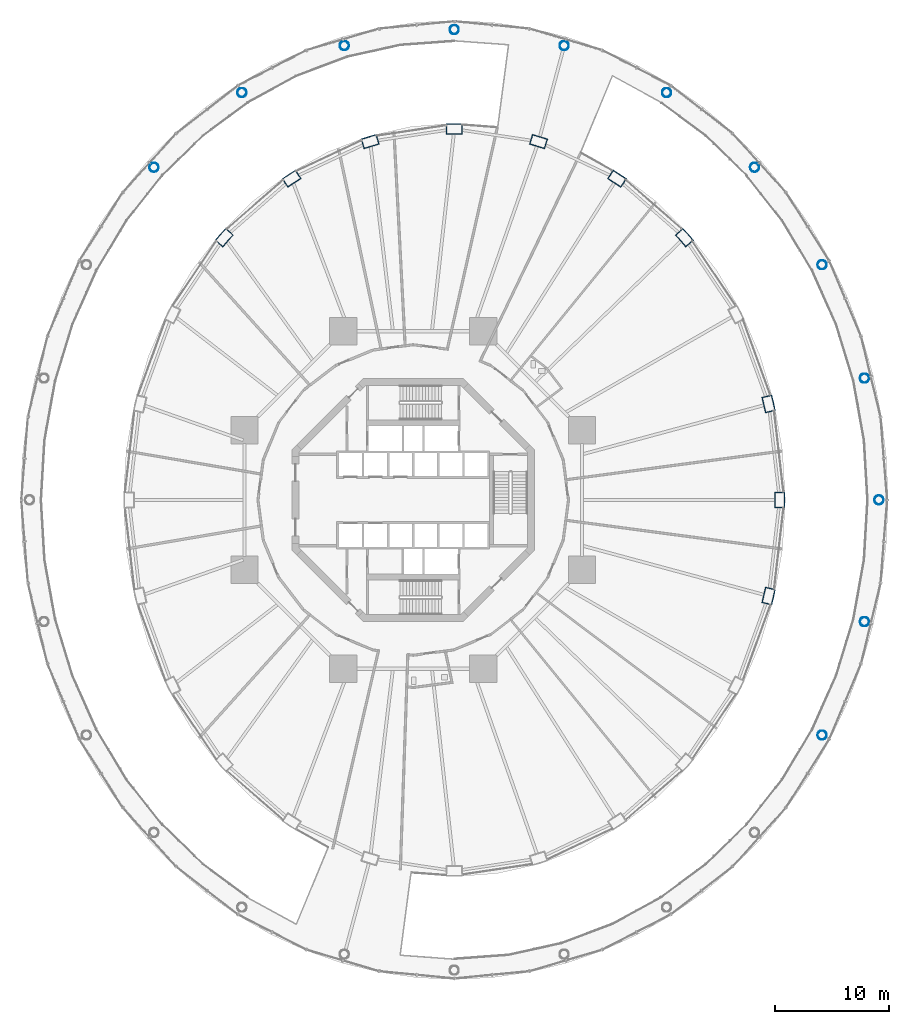
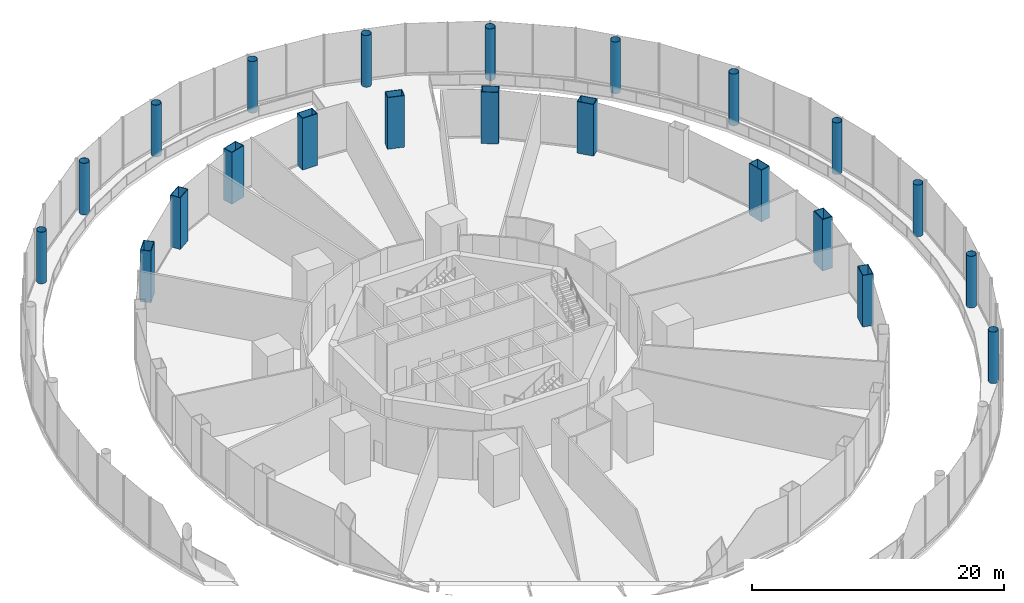
# One storey, part 2 of 48: 22 columns.
"""IFC4 building model written with IfcOpenShell, lengths in metres."""

from ifc_helpers import new_model, si_unit, direction, frame, origin, origin_2d, place, context, subcontext, project, spatial, hollow_rectangle, hollow_circle, extrude, material, material_profile, profile_set, type_object, element, save


model = new_model("IFC4")

# Units and contexts
model_context = context("Model", 3, precision=1e-05, world=origin(), true_north=direction((0.0, 1.0)))
body_context = subcontext(model_context, "Body", "Model", "MODEL_VIEW")
ifc_project = project(units=[si_unit("LENGTHUNIT", "METRE"), si_unit("AREAUNIT", "SQUARE_METRE"), si_unit("VOLUMEUNIT", "CUBIC_METRE"), si_unit("PLANEANGLEUNIT", "RADIAN"), si_unit("MASSUNIT", "GRAM", prefix="KILO")], contexts=[model_context])

# Site, building, storey
site_placement = place(None, origin())
site = spatial("IfcSite", under=ifc_project, at=site_placement, CompositionType="ELEMENT")
building_placement = place(site_placement, origin())
building = spatial("IfcBuilding", under=site, at=building_placement, Name="Nagisa Residences", CompositionType="ELEMENT")
storey_placement = place(building_placement, frame((0.0, 0.0, 12.0)))
storey = spatial("IfcBuildingStorey", under=building, at=storey_placement, Name="L02", CompositionType="ELEMENT", Elevation=12.0)

# Columns
ifc_material_1 = material(Name="Steel ASTM A572 Gr 65", Category="steel")
ifc_material_profile_1 = material_profile(ifc_material_1, hollow_circle(Radius=0.406494140625, WallThickness=0.02490234375, at=origin_2d()), Name="CHS 813x25")
ifc_profile_set_1 = profile_set([ifc_material_profile_1], Name="Steel ASTM A572 Gr 65")
column_type_1 = type_object("IfcColumnType", Name="Atrium column CHS 813x25", PredefinedType="COLUMN", material=ifc_profile_set_1)
for number, where, z_axis, x_axis, name in (
    (1, (40.800048828125, 0.0, 0.0), (0.0, 0.0, 1.0), (1.0, 0.0, 0.0), "col:L02:a00"),
    (2, (39.532470703125, 10.663330078125, 0.0), (0.0, 0.0, 1.0), (1.0, 0.0, 0.0), "col:L02:a01"),
    (3, (35.816162109375, 20.60009765625, 0.0), (0.0, 0.0, 1.0), (1.0, 0.0, 0.0), "col:L02:a02"),
    (4, (29.904296875, 29.1328125, 0.0), (0.0, 0.0, 1.0), (1.0, 0.0, 0.0), "col:L02:a03"),
    (5, (22.199951171875, 35.68017578125, 0.0), (0.0, 0.0, 1.0), (1.0, 0.0, 0.0), "col:L02:a04"),
    (6, (13.22802734375, 39.796142578125, 0.0), (0.0, 0.0, 1.0), (1.0, 0.0, 0.0), "col:L02:a05"),
    (7, (3.60009765625, 41.199951171875, 0.0), (0.0, 0.0, 1.0), (1.0, 0.0, 0.0), "col:L02:a06"),
    (8, (-6.028076171875, 39.796142578125, 0.0), (0.0, 0.0, 1.0), (1.0, 0.0, 0.0), "col:L02:a07"),
    (9, (-15.0, 35.68017578125, 0.0), (0.0, 0.0, 1.0), (1.0, 0.0, 0.0), "col:L02:a08"),
    (10, (-22.704345703125, 29.1328125, 0.0), (0.0, 0.0, 1.0), (1.0, 0.0, 0.0), "col:L02:a09"),
    (11, (35.816162109375, -20.60009765625, 0.0), (0.0, 0.0, 1.0), (1.0, 0.0, 0.0), "col:L02:a22"),
    (12, (39.532470703125, -10.663330078125, 0.0), (0.0, 0.0, 1.0), (1.0, 0.0, 0.0), "col:L02:a23"),
):
    element("IfcColumn", number, at=place(storey_placement, frame(where, z_axis=z_axis, x_axis=x_axis)), inside=storey, type_object=column_type_1, Name=name, PredefinedType="COLUMN", context=body_context, shape_type="SweptSolid", body=[
        extrude(hollow_circle(Radius=0.406494140625, WallThickness=0.02490234375, at=origin_2d()), origin(), (0.0, 0.0, 1.0), 5.0),
    ])
ifc_material_2 = material(Name="Steel ASTM A572 Gr 50", Category="steel")
ifc_material_profile_2 = material_profile(ifc_material_2, hollow_rectangle(XDim=1.39990234375, YDim=0.89990234375, WallThickness=0.050048828125, at=origin_2d()), Name="BX 1400x900x50")
ifc_profile_set_2 = profile_set([ifc_material_profile_2], Name="Steel ASTM A572 Gr 50")
column_type_2 = type_object("IfcColumnType", Name="Perimeter column BX 1400x900x50", PredefinedType="COLUMN", material=ifc_profile_set_2)
for number, where, z_axis, x_axis, name in (
    (13, (32.10009765625, 0.0, 0.0), (0.0, 0.0, 1.0), (0.0, 1.0, 0.0), "col:L02:p00"),
    (14, (31.12890625, 8.41162109375, 0.0), (0.0, 0.0, 1.0), (-0.229202013103, 0.973378876486, 0.0), "col:L02:p01"),
    (15, (23.75244140625, 22.98095703125, 0.0), (0.0, 0.0, 1.0), (-0.660114607735, 0.751164898445, 0.0), "col:L02:p03"),
    (16, (17.85009765625, 28.145751953125, 0.0), (0.0, 0.0, 1.0), (-0.835766105673, 0.54908561865, 0.0), "col:L02:p04"),
    (17, (10.976318359375, 31.392578125, 0.0), (0.0, 0.0, 1.0), (-0.956524583408, 0.291651712384, 0.0), "col:L02:p05"),
    (18, (3.60009765625, 32.5, 0.0), (0.0, 0.0, 1.0), (-1.0, 0.0, 0.0), "col:L02:p06"),
    (19, (-3.7763671875, 31.392578125, 0.0), (0.0, 0.0, 1.0), (-0.956524583408, -0.291651712384, 0.0), "col:L02:p07"),
    (20, (-10.64990234375, 28.145751953125, 0.0), (0.0, 0.0, 1.0), (-0.835766105673, -0.54908561865, 0.0), "col:L02:p08"),
    (21, (-16.552490234375, 22.98095703125, 0.0), (0.0, 0.0, 1.0), (-0.660114607735, -0.751164898445, 0.0), "col:L02:p09"),
    (22, (31.12890625, -8.41162109375, 0.0), (0.0, 0.0, 1.0), (0.229202013103, 0.973378876486, 0.0), "col:L02:p23"),
):
    element("IfcColumn", number, at=place(storey_placement, frame(where, z_axis=z_axis, x_axis=x_axis)), inside=storey, type_object=column_type_2, Name=name, PredefinedType="COLUMN", context=body_context, shape_type="SweptSolid", body=[
        extrude(hollow_rectangle(XDim=1.39990234375, YDim=0.89990234375, WallThickness=0.050048828125, at=origin_2d()), origin(), (0.0, 0.0, 1.0), 5.0),
    ])

save(model, "model.ifc")
